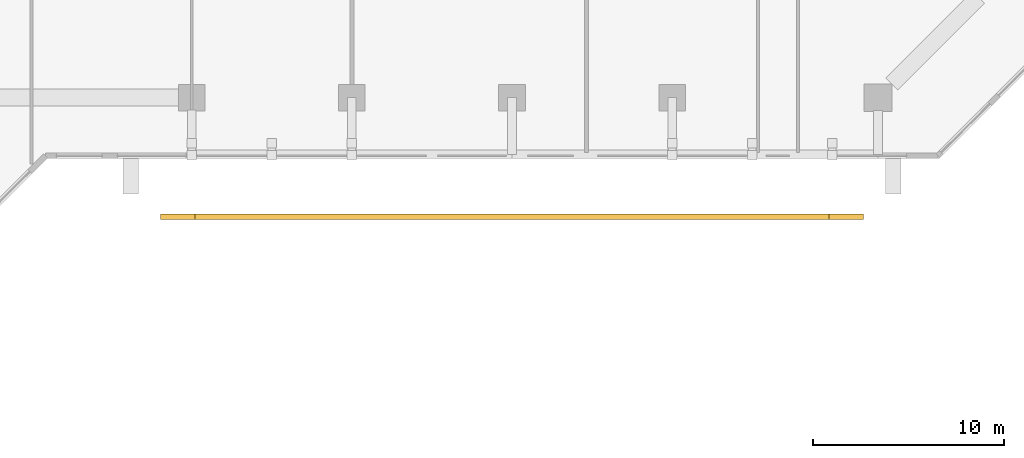
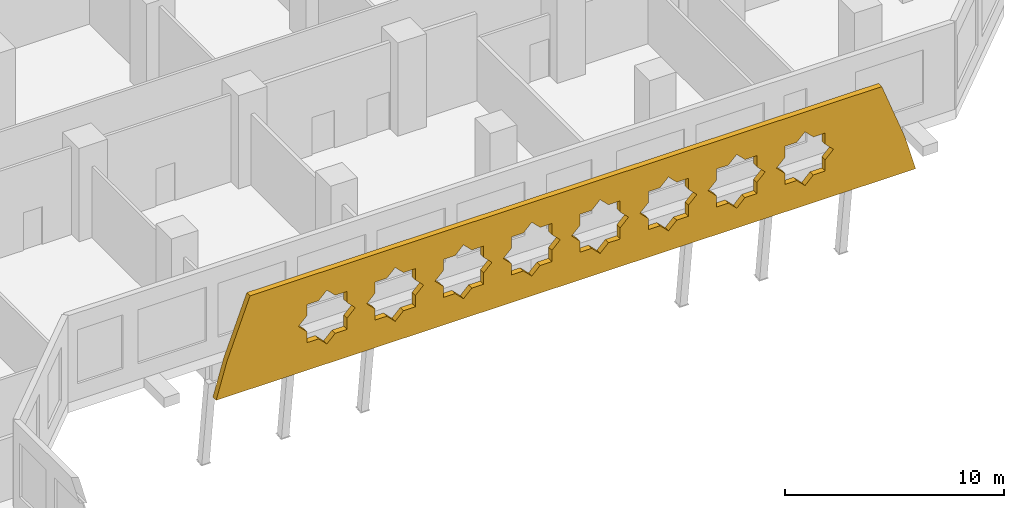
# One storey, part 17 of 21: 1 covering.
"""IFC4 building model written with IfcOpenShell, lengths in metres."""

from ifc_helpers import new_model, si_unit, direction, frame, origin, place, context, subcontext, project, spatial, polyline, outline, extrude, material, layer, layer_set, type_object, element, save


model = new_model("IFC4")

# Units and contexts
model_context = context("Model", 3, precision=1e-05, world=origin(), true_north=direction((0.0, 1.0)))
body_context = subcontext(model_context, "Body", "Model", "MODEL_VIEW")
ifc_project = project(units=[si_unit("LENGTHUNIT", "METRE"), si_unit("AREAUNIT", "SQUARE_METRE"), si_unit("VOLUMEUNIT", "CUBIC_METRE"), si_unit("PLANEANGLEUNIT", "RADIAN"), si_unit("MASSUNIT", "GRAM", prefix="KILO")], contexts=[model_context])

# Site, building, storey
site_placement = place(None, origin())
site = spatial("IfcSite", under=ifc_project, at=site_placement, CompositionType="ELEMENT")
building_placement = place(site_placement, origin())
building = spatial("IfcBuilding", under=site, at=building_placement, Name="Kawkab Arch Medical Tower", CompositionType="ELEMENT")
storey_placement = place(building_placement, frame((0.0, 0.0, 23.800048828125)))
storey = spatial("IfcBuildingStorey", under=building, at=storey_placement, Name="L05", CompositionType="ELEMENT", Elevation=23.800048828125)

# Covering
ifc_material = material(Name="Perforated bronze anodised aluminium, eight-point star pattern", Category="aluminium")
ifc_layer = layer(ifc_material, 0.300048828125)
ifc_layer_set = layer_set([ifc_layer], Name="Perforated bronze anodised aluminium, eight-point star pattern")
covering_type = type_object("IfcCoveringType", Name="Spandrel star screen 300", PredefinedType="USERDEFINED", material=ifc_layer_set)
covering_placement = place(storey_placement, frame((0.0, -39.699951171875, -23.800048828125), z_axis=(0.0, -1.0, 0.0), x_axis=(1.0, 0.0, 0.0)))
element("IfcCovering", 1, at=covering_placement, inside=storey, type_object=covering_type, Name="Spandrel screen S 4.1", ObjectType="SCREEN", PredefinedType="USERDEFINED", context=body_context, shape_type="SweptSolid", body=[
    extrude(outline(polyline([(48.763916015625, 23.800048828125), (85.635986328125, 23.800048828125), (85.0634765625, 25.7841796875), (83.879150390625, 28.920654296875), (83.841552734375, 29.0), (50.55859375, 29.0), (50.52099609375, 28.920654296875), (49.33642578125, 25.7841796875), (48.763916015625, 23.800048828125)]), holes=[polyline([(56.10009765625, 26.39990234375), (55.66064453125, 26.83935546875), (55.66064453125, 27.460693359375), (55.039306640625, 27.460693359375), (54.60009765625, 27.89990234375), (54.16064453125, 27.460693359375), (53.539306640625, 27.460693359375), (53.539306640625, 26.83935546875), (53.10009765625, 26.39990234375), (53.539306640625, 25.960693359375), (53.539306640625, 25.33935546875), (54.16064453125, 25.33935546875), (54.60009765625, 24.89990234375), (55.039306640625, 25.33935546875), (55.66064453125, 25.33935546875), (55.66064453125, 25.960693359375), (56.10009765625, 26.39990234375)]), polyline([(59.699951171875, 26.39990234375), (59.2607421875, 26.83935546875), (59.2607421875, 27.460693359375), (58.639404296875, 27.460693359375), (58.199951171875, 27.89990234375), (57.7607421875, 27.460693359375), (57.139404296875, 27.460693359375), (57.139404296875, 26.83935546875), (56.699951171875, 26.39990234375), (57.139404296875, 25.960693359375), (57.139404296875, 25.33935546875), (57.7607421875, 25.33935546875), (58.199951171875, 24.89990234375), (58.639404296875, 25.33935546875), (59.2607421875, 25.33935546875), (59.2607421875, 25.960693359375), (59.699951171875, 26.39990234375)]), polyline([(63.300048828125, 26.39990234375), (62.860595703125, 26.83935546875), (62.860595703125, 27.460693359375), (62.2392578125, 27.460693359375), (61.800048828125, 27.89990234375), (61.360595703125, 27.460693359375), (60.7392578125, 27.460693359375), (60.7392578125, 26.83935546875), (60.300048828125, 26.39990234375), (60.7392578125, 25.960693359375), (60.7392578125, 25.33935546875), (61.360595703125, 25.33935546875), (61.800048828125, 24.89990234375), (62.2392578125, 25.33935546875), (62.860595703125, 25.33935546875), (62.860595703125, 25.960693359375), (63.300048828125, 26.39990234375)]), polyline([(66.89990234375, 26.39990234375), (66.460693359375, 26.83935546875), (66.460693359375, 27.460693359375), (65.83935546875, 27.460693359375), (65.39990234375, 27.89990234375), (64.960693359375, 27.460693359375), (64.33935546875, 27.460693359375), (64.33935546875, 26.83935546875), (63.89990234375, 26.39990234375), (64.33935546875, 25.960693359375), (64.33935546875, 25.33935546875), (64.960693359375, 25.33935546875), (65.39990234375, 24.89990234375), (65.83935546875, 25.33935546875), (66.460693359375, 25.33935546875), (66.460693359375, 25.960693359375), (66.89990234375, 26.39990234375)]), polyline([(70.5, 26.39990234375), (70.060791015625, 26.83935546875), (70.060791015625, 27.460693359375), (69.439208984375, 27.460693359375), (69.0, 27.89990234375), (68.560791015625, 27.460693359375), (67.939208984375, 27.460693359375), (67.939208984375, 26.83935546875), (67.5, 26.39990234375), (67.939208984375, 25.960693359375), (67.939208984375, 25.33935546875), (68.560791015625, 25.33935546875), (69.0, 24.89990234375), (69.439208984375, 25.33935546875), (70.060791015625, 25.33935546875), (70.060791015625, 25.960693359375), (70.5, 26.39990234375)]), polyline([(74.10009765625, 26.39990234375), (73.66064453125, 26.83935546875), (73.66064453125, 27.460693359375), (73.039306640625, 27.460693359375), (72.60009765625, 27.89990234375), (72.16064453125, 27.460693359375), (71.539306640625, 27.460693359375), (71.539306640625, 26.83935546875), (71.10009765625, 26.39990234375), (71.539306640625, 25.960693359375), (71.539306640625, 25.33935546875), (72.16064453125, 25.33935546875), (72.60009765625, 24.89990234375), (73.039306640625, 25.33935546875), (73.66064453125, 25.33935546875), (73.66064453125, 25.960693359375), (74.10009765625, 26.39990234375)]), polyline([(77.699951171875, 26.39990234375), (77.2607421875, 26.83935546875), (77.2607421875, 27.460693359375), (76.639404296875, 27.460693359375), (76.199951171875, 27.89990234375), (75.7607421875, 27.460693359375), (75.139404296875, 27.460693359375), (75.139404296875, 26.83935546875), (74.699951171875, 26.39990234375), (75.139404296875, 25.960693359375), (75.139404296875, 25.33935546875), (75.7607421875, 25.33935546875), (76.199951171875, 24.89990234375), (76.639404296875, 25.33935546875), (77.2607421875, 25.33935546875), (77.2607421875, 25.960693359375), (77.699951171875, 26.39990234375)]), polyline([(81.300048828125, 26.39990234375), (80.860595703125, 26.83935546875), (80.860595703125, 27.460693359375), (80.2392578125, 27.460693359375), (79.800048828125, 27.89990234375), (79.360595703125, 27.460693359375), (78.7392578125, 27.460693359375), (78.7392578125, 26.83935546875), (78.300048828125, 26.39990234375), (78.7392578125, 25.960693359375), (78.7392578125, 25.33935546875), (79.360595703125, 25.33935546875), (79.800048828125, 24.89990234375), (80.2392578125, 25.33935546875), (80.860595703125, 25.33935546875), (80.860595703125, 25.960693359375), (81.300048828125, 26.39990234375)])]), origin(), (0.0, 0.0, 1.0), 0.300048828125),
])

save(model, "model.ifc")
